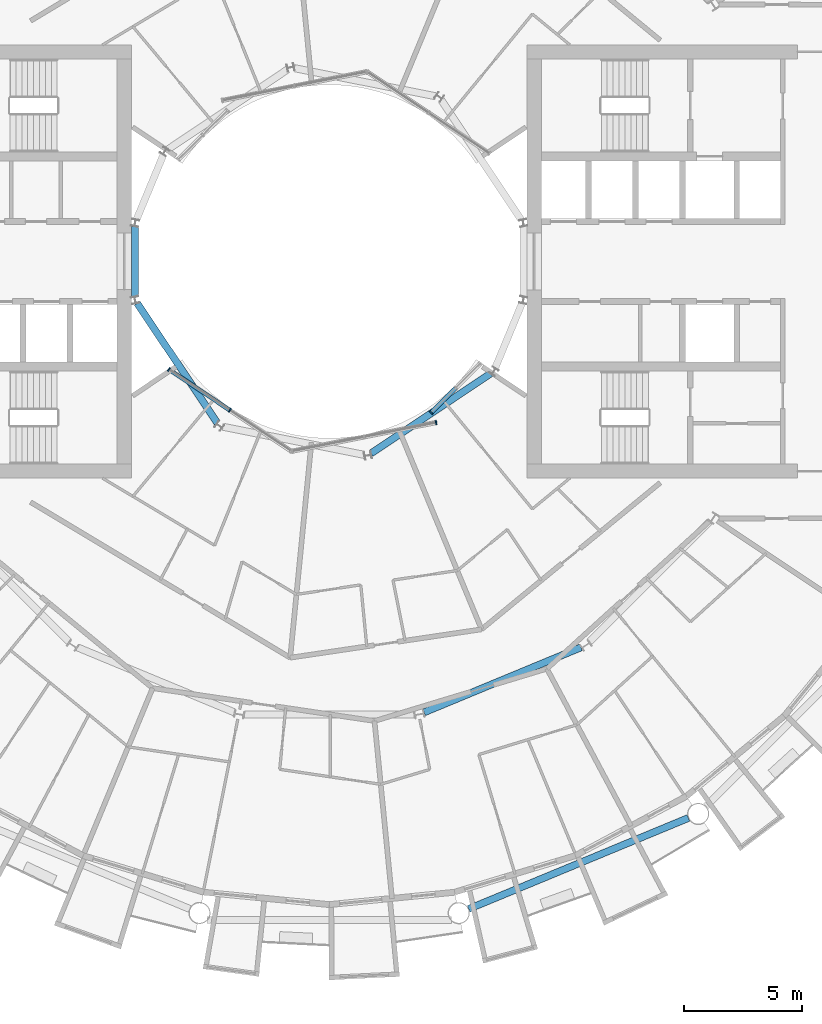
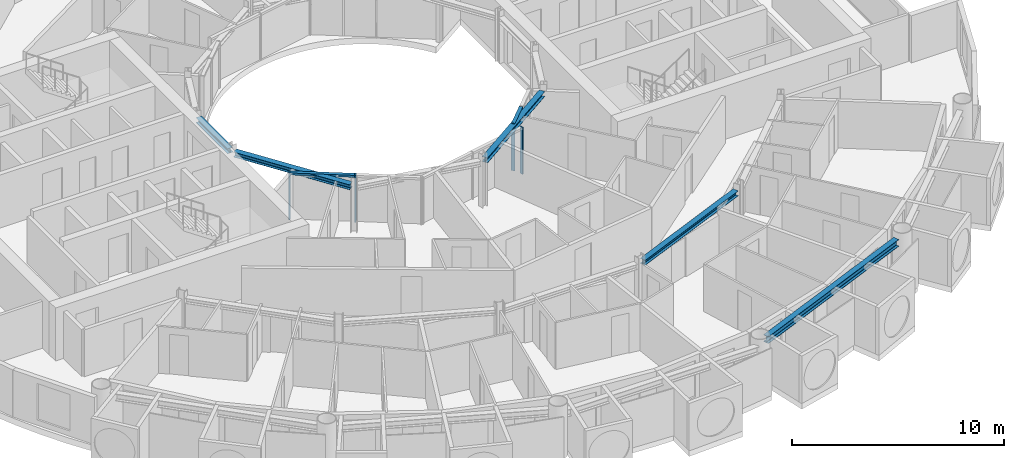
# One storey, part 6 of 28: 6 members, 5 beams, 3 elements without a shape of their own.
"""IFC4 building model written with IfcOpenShell, lengths in metres."""

from ifc_helpers import new_model, si_unit, direction, frame, origin, origin_2d, place, context, subcontext, project, spatial, rectangle, i_section, extrude, material, layer, layer_set, material_profile, profile_set, type_object, element, aggregate, save


model = new_model("IFC4")

# Units and contexts
model_context = context("Model", 3, precision=1e-05, world=origin(), true_north=direction((0.0, 1.0)))
body_context = subcontext(model_context, "Body", "Model", "MODEL_VIEW")
ifc_project = project(units=[si_unit("LENGTHUNIT", "METRE"), si_unit("AREAUNIT", "SQUARE_METRE"), si_unit("VOLUMEUNIT", "CUBIC_METRE"), si_unit("PLANEANGLEUNIT", "RADIAN"), si_unit("MASSUNIT", "GRAM", prefix="KILO")], contexts=[model_context])

# Site, building, storey
site_placement = place(None, origin())
site = spatial("IfcSite", under=ifc_project, at=site_placement, CompositionType="ELEMENT")
building_placement = place(site_placement, origin())
building = spatial("IfcBuilding", under=site, at=building_placement, Name="Maasbend Ring Residences", CompositionType="ELEMENT")
storey_placement = place(building_placement, frame((0.0, 0.0, 133.0)))
storey = spatial("IfcBuildingStorey", under=building, at=storey_placement, Name="L38", CompositionType="ELEMENT", Elevation=133.0)

# Curtain wall, members
ifc_material_1 = material(Name="Aluminium and clear glass", Category="aluminium")
ifc_layer = layer(ifc_material_1, 0.179931640625)
ifc_layer_set = layer_set([ifc_layer], Name="CW-W")
curtain_wall_type = type_object("IfcCurtainWallType", Name="CW-W", PredefinedType="NOTDEFINED", material=ifc_layer_set)
curtain_wall_1_placement = place(storey_placement, origin())
curtain_wall_1 = element("IfcCurtainWall", 1, at=curtain_wall_1_placement, inside=storey, type_object=curtain_wall_type, Name="Well curtain wall S1", PredefinedType="NOTDEFINED")
ifc_material_2 = material(Name="Aluminium 6063-T6", Category="aluminium")
ifc_material_profile_1 = material_profile(ifc_material_2, rectangle(XDim=0.179931640625, YDim=0.06005859375, at=origin_2d()), Name="AL 180x60")
ifc_profile_set_1 = profile_set([ifc_material_profile_1], Name="Aluminium 6063-T6")
member_type_1 = type_object("IfcMemberType", Name="CWM-W", PredefinedType="MULLION", material=ifc_profile_set_1)
member_1_placement = place(storey_placement, frame((-6.805908203125, -4.580810546875, 0.0), z_axis=(0.0, 0.0, 1.0), x_axis=(0.55557023302, 0.831469612303, 0.0)))
member_1 = element("IfcMember", 2, at=member_1_placement, type_object=member_type_1, Name="Mullion well face", PredefinedType="MULLION", context=body_context, shape_type="SweptSolid", body=[
    extrude(rectangle(XDim=0.179931640625, YDim=0.06005859375, at=origin_2d()), origin(), (0.0, 0.0, 1.0), 2.699951171875),
])
member_2_placement = place(storey_placement, frame((-4.216796875, -6.310791015625, 0.0), z_axis=(0.0, 0.0, 1.0), x_axis=(0.55557023302, 0.831469612303, 0.0)))
member_2 = element("IfcMember", 3, at=member_2_placement, type_object=member_type_1, Name="Mullion well face", PredefinedType="MULLION", context=body_context, shape_type="SweptSolid", body=[
    extrude(rectangle(XDim=0.179931640625, YDim=0.06005859375, at=origin_2d()), origin(), (0.0, 0.0, 1.0), 2.699951171875),
])

# Curtain wall, member
curtain_wall_2_placement = place(storey_placement, origin())
curtain_wall_2 = element("IfcCurtainWall", 4, at=curtain_wall_2_placement, inside=storey, type_object=curtain_wall_type, Name="Well curtain wall S2", PredefinedType="NOTDEFINED")
member_3_placement = place(storey_placement, frame((4.53466796875, -6.836669921875, 0.0), z_axis=(0.0, 0.0, 1.0), x_axis=(-0.195090322016, 0.980785280403, 0.0)))
member_3 = element("IfcMember", 5, at=member_3_placement, type_object=member_type_1, Name="Mullion well face", PredefinedType="MULLION", context=body_context, shape_type="SweptSolid", body=[
    extrude(rectangle(XDim=0.179931640625, YDim=0.06005859375, at=origin_2d()), origin(), (0.0, 0.0, 1.0), 2.699951171875),
])
aggregate(curtain_wall_2, [member_3])

curtain_wall_3_placement = place(storey_placement, origin())
curtain_wall_3 = element("IfcCurtainWall", 6, at=curtain_wall_3_placement, inside=storey, type_object=curtain_wall_type, Name="Well curtain wall S3", PredefinedType="NOTDEFINED")
member_4_placement = place(storey_placement, frame((4.320556640625, -6.413330078125, 0.0), z_axis=(0.0, 0.0, 1.0), x_axis=(-0.707106781187, 0.707106781187, 0.0)))
member_4 = element("IfcMember", 7, at=member_4_placement, type_object=member_type_1, Name="Mullion well face", PredefinedType="MULLION", context=body_context, shape_type="SweptSolid", body=[
    extrude(rectangle(XDim=0.179931640625, YDim=0.06005859375, at=origin_2d()), origin(), (0.0, 0.0, 1.0), 2.699951171875),
])

# Member
ifc_material_3 = material(Name="Aluminium 6063-T6", Category="aluminium")
ifc_material_profile_2 = material_profile(ifc_material_3, rectangle(XDim=0.179931640625, YDim=0.1201171875, at=origin_2d()), Name="AL 180x120")
ifc_profile_set_2 = profile_set([ifc_material_profile_2], Name="Aluminium 6063-T6")
member_type_2 = type_object("IfcMemberType", Name="CWT-W", PredefinedType="USERDEFINED", material=ifc_profile_set_2)
member_5_placement = place(storey_placement, frame((-6.781005859375, -4.59765625, 2.639892578125), z_axis=(0.831496422459, -0.555530106689, 0.0), x_axis=(0.555530106689, 0.831496422459, 0.0)))
member_5 = element("IfcMember", 8, at=member_5_placement, type_object=member_type_2, Name="Transom well face", ObjectType="TRANSOM", PredefinedType="USERDEFINED", context=body_context, shape_type="SweptSolid", body=[
    extrude(rectangle(XDim=0.179931640625, YDim=0.1201171875, at=origin_2d()), origin(), (0.0, 0.0, 1.0), 3.053955078125),
])

aggregate(curtain_wall_1, [member_1, member_2, member_5])

member_6_placement = place(storey_placement, frame((4.341796875, -6.39208984375, 2.639892578125), z_axis=(0.707106781187, 0.707106781187, 0.0), x_axis=(-0.707106781187, 0.707106781187, 0.0)))
member_6 = element("IfcMember", 9, at=member_6_placement, type_object=member_type_2, Name="Transom well face", ObjectType="TRANSOM", PredefinedType="USERDEFINED", context=body_context, shape_type="SweptSolid", body=[
    extrude(rectangle(XDim=0.179931640625, YDim=0.1201171875, at=origin_2d()), origin(), (0.0, 0.0, 1.0), 1.419677734375),
])

aggregate(curtain_wall_3, [member_4, member_6])

# Beams
ifc_material_4 = material(Name="Steel S355J2", Category="steel")
ifc_material_profile_3 = material_profile(ifc_material_4, i_section(OverallWidth=0.300048828125, OverallDepth=0.2900390625, WebThickness=0.008544921875, FlangeThickness=0.013916015625, FilletRadius=0.027099609375, at=origin_2d()), Name="HEA 300")
ifc_profile_set_3 = profile_set([ifc_material_profile_3], Name="Steel S355J2")
beam_type_1 = type_object("IfcBeamType", Name="Corridor ring beam HEA 300", PredefinedType="BEAM", material=ifc_profile_set_3)
beam_1_placement = place(storey_placement, frame((4.02734375, -19.13916015625, 2.554931640625), z_axis=(0.923877693919, 0.382687871089, 0.0), x_axis=(-0.382687871089, 0.923877693919, 0.0)))
element("IfcBeam", 10, at=beam_1_placement, inside=storey, type_object=beam_type_1, Name="Corridor ring beam", PredefinedType="BEAM", context=body_context, shape_type="SweptSolid", body=[
    extrude(i_section(OverallWidth=0.300048828125, OverallDepth=0.2900390625, WebThickness=0.008544921875, FlangeThickness=0.013916015625, FilletRadius=0.027099609375, at=origin_2d()), origin(), (0.0, 0.0, 1.0), 7.20703125),
])
ifc_material_5 = material(Name="Steel S355J2", Category="steel")
ifc_material_profile_4 = material_profile(ifc_material_5, i_section(OverallWidth=0.300048828125, OverallDepth=0.39990234375, WebThickness=0.013427734375, FlangeThickness=0.02392578125, FilletRadius=0.027099609375, at=origin_2d()), Name="HEB 400")
ifc_profile_set_4 = profile_set([ifc_material_profile_4], Name="Steel S355J2")
beam_type_2 = type_object("IfcBeamType", Name="Spandrel ring beam HEB 400", PredefinedType="SPANDREL", material=ifc_profile_set_4)
beam_2_placement = place(storey_placement, frame((5.923583984375, -27.483154296875, 2.5), z_axis=(0.92388529709, 0.382669515144, 0.0), x_axis=(-0.382669515144, 0.92388529709, 0.0)))
element("IfcBeam", 11, at=beam_2_placement, inside=storey, type_object=beam_type_2, Name="Spandrel ring beam", PredefinedType="SPANDREL", context=body_context, shape_type="SweptSolid", body=[
    extrude(i_section(OverallWidth=0.300048828125, OverallDepth=0.39990234375, WebThickness=0.013427734375, FlangeThickness=0.02392578125, FilletRadius=0.027099609375, at=origin_2d()), origin(), (0.0, 0.0, 1.0), 10.089111328125),
])
ifc_material_6 = material(Name="Steel S355J2", Category="steel")
ifc_material_profile_5 = material_profile(ifc_material_6, i_section(OverallWidth=0.300048828125, OverallDepth=0.2900390625, WebThickness=0.008544921875, FlangeThickness=0.013916015625, FilletRadius=0.027099609375, at=origin_2d()), Name="HEA 300")
ifc_profile_set_5 = profile_set([ifc_material_profile_5], Name="Steel S355J2")
beam_type_3 = type_object("IfcBeamType", Name="Well edge beam HEA 300", PredefinedType="BEAM", material=ifc_profile_set_5)
beam_3_placement = place(storey_placement, frame((-8.238525390625, 1.48583984375, 2.554931640625), z_axis=(0.0, -1.0, 0.0), x_axis=(1.0, 0.0, 0.0)))
element("IfcBeam", 12, at=beam_3_placement, inside=storey, type_object=beam_type_3, Name="Well edge beam", PredefinedType="BEAM", context=body_context, shape_type="SweptSolid", body=[
    extrude(i_section(OverallWidth=0.300048828125, OverallDepth=0.2900390625, WebThickness=0.008544921875, FlangeThickness=0.013916015625, FilletRadius=0.027099609375, at=origin_2d()), origin(), (0.0, 0.0, 1.0), 2.9716796875),
])
for number, where, z_axis, x_axis, name in (
    (13, (-8.1484375, -1.773681640625, 2.554931640625), (0.555558236289, -0.831477628137, 0.0), (0.831477628137, 0.555558236289, 0.0), "Well edge beam"),
    (14, (1.773681640625, -8.1484375, 2.554931640625), (0.831477628137, 0.555558236289, 0.0), (-0.555558236289, 0.831477628137, 0.0), "Well edge beam"),
):
    element("IfcBeam", number, at=place(storey_placement, frame(where, z_axis=z_axis, x_axis=x_axis)), inside=storey, type_object=beam_type_3, Name=name, PredefinedType="BEAM", context=body_context, shape_type="SweptSolid", body=[
        extrude(i_section(OverallWidth=0.300048828125, OverallDepth=0.2900390625, WebThickness=0.008544921875, FlangeThickness=0.013916015625, FilletRadius=0.027099609375, at=origin_2d()), origin(), (0.0, 0.0, 1.0), 6.1044921875),
    ])

save(model, "model.ifc")
